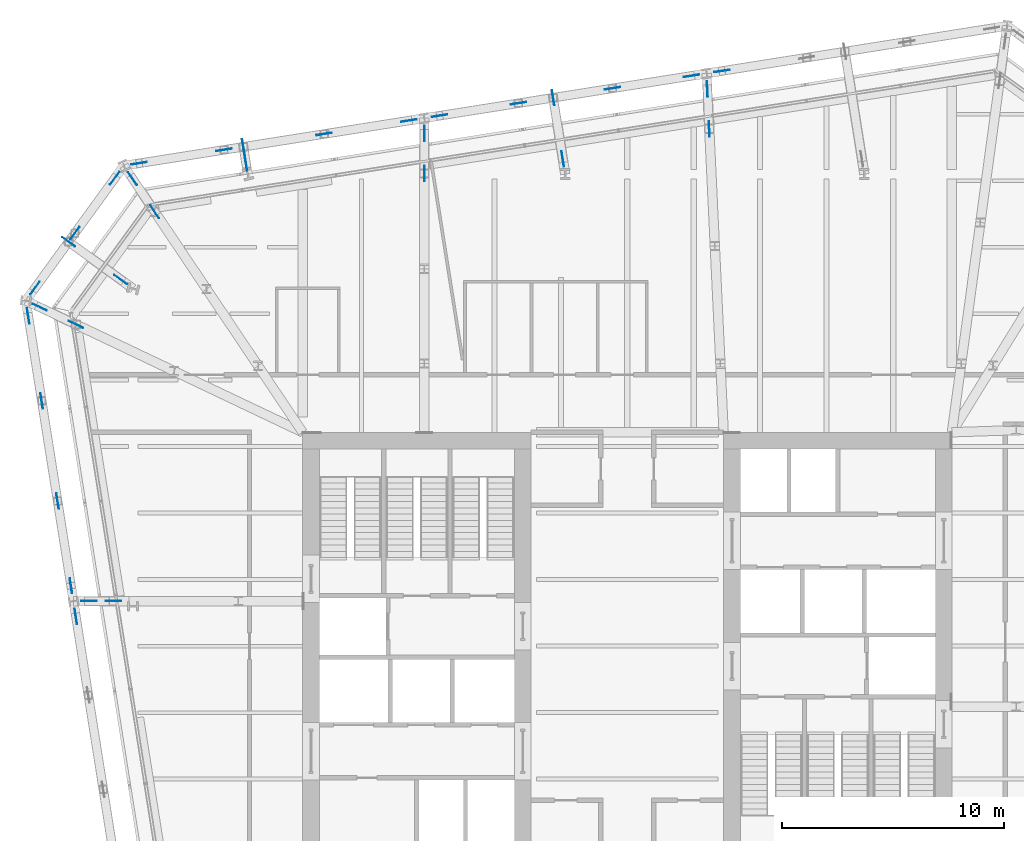
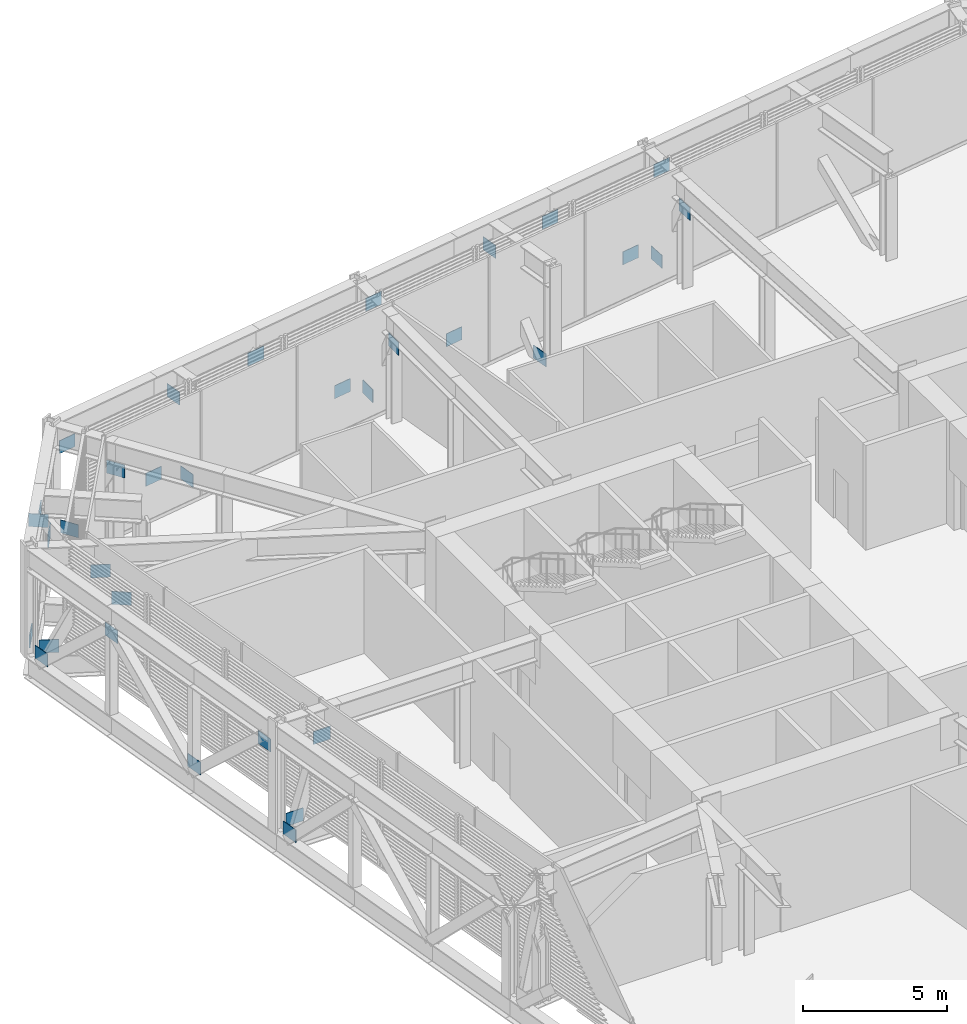
# One storey, part 27 of 32: 33 discrete accessories.
"""IFC4 building model written with IfcOpenShell, lengths in metres."""

from ifc_helpers import new_model, si_unit, direction, frame, origin, origin_2d, place, context, subcontext, project, spatial, rectangle, extrude, material, layer, layer_set, type_object, element, save


model = new_model("IFC4")

# Units and contexts
model_context = context("Model", 3, precision=1e-05, world=origin(), true_north=direction((0.0, 1.0)))
body_context = subcontext(model_context, "Body", "Model", "MODEL_VIEW")
ifc_project = project(units=[si_unit("LENGTHUNIT", "METRE"), si_unit("AREAUNIT", "SQUARE_METRE"), si_unit("VOLUMEUNIT", "CUBIC_METRE"), si_unit("PLANEANGLEUNIT", "RADIAN"), si_unit("MASSUNIT", "GRAM", prefix="KILO")], contexts=[model_context])

# Site, building, storey
site_placement = place(None, origin())
site = spatial("IfcSite", under=ifc_project, at=site_placement, CompositionType="ELEMENT")
building_placement = place(site_placement, origin())
building = spatial("IfcBuilding", under=site, at=building_placement, Name="Millrace Tower", CompositionType="ELEMENT")
storey_placement = place(building_placement, frame((0.0, 0.0, 124.89990234375)))
storey = spatial("IfcBuildingStorey", under=building, at=storey_placement, Name="L27", CompositionType="ELEMENT", Elevation=124.89990234375)

# Discrete accessories
ifc_material = material(Name="Steel ASTM A572 Grade 50", Category="steel")
ifc_layer = layer(ifc_material, 0.02490234375)
ifc_layer_set = layer_set([ifc_layer], Name="Steel ASTM A572 Grade 50")
discrete_accessory_type = type_object("IfcDiscreteAccessoryType", Name="Truss gusset plate 700x550x25", PredefinedType="BRACKET", material=ifc_layer_set)
for number, where, z_axis, x_axis, name in (
    (1, (3.92724609375, 25.89990234375, 3.20751953125), (0.987717677878, 0.156249124184, 0.0), (-0.156249124184, 0.987717677878, 0.0), "Truss gusset plate TRS-L27-R10-D03 head"),
    (2, (2.54443359375, 25.680908203125, 0.114990234375), (0.987717677878, 0.156249124184, 0.0), (-0.156249124184, 0.987717677878, 0.0), "Truss gusset plate TRS-L27-R11-D01 foot"),
    (3, (-1.01123046875, 25.11767578125, 3.20751953125), (0.987717677878, 0.156249124184, 0.0), (-0.156249124184, 0.987717677878, 0.0), "Truss gusset plate TRS-L27-R11-D01 head"),
    (4, (-5.25830078125, 24.445068359375, 0.114990234375), (0.987717677878, 0.156249124184, 0.0), (-0.156249124184, 0.987717677878, 0.0), "Truss gusset plate TRS-L27-R11-D02 foot"),
    (5, (-8.81396484375, 23.8818359375, 3.20751953125), (0.987717677878, 0.156249124184, 0.0), (-0.156249124184, 0.987717677878, 0.0), "Truss gusset plate TRS-L27-R11-D03 head"),
    (6, (-10.19677734375, 23.662841796875, 0.114990234375), (0.987717677878, 0.156249124184, 0.0), (-0.156249124184, 0.987717677878, 0.0), "Truss gusset plate TRS-L27-R12-D01 foot"),
    (7, (-14.025146484375, 23.056396484375, 3.20751953125), (0.987663796475, 0.156589351913, 0.0), (-0.156589351913, 0.987663796475, 0.0), "Truss gusset plate TRS-L27-R12-D01 head"),
    (8, (-18.544921875, 22.340576171875, 0.114990234375), (0.987663796475, 0.156589351913, 0.0), (-0.156589351913, 0.987663796475, 0.0), "Truss gusset plate TRS-L27-R12-D02 foot"),
    (9, (-22.373291015625, 21.734130859375, 3.20751953125), (0.987663796475, 0.156589351913, 0.0), (-0.156589351913, 0.987663796475, 0.0), "Truss gusset plate TRS-L27-R12-D03 head"),
    (10, (-23.336181640625, 20.830078125, 0.114990234375), (0.587819016355, 0.808992462271, 0.0), (-0.808992462271, 0.587819016355, 0.0), "Truss gusset plate TRS-L27-R13-D01 foot"),
    (11, (-25.13671875, 18.35205078125, 3.20751953125), (0.588047260207, 0.808826569644, 0.0), (-0.808826569644, 0.588047260207, 0.0), "Truss gusset plate TRS-L27-R13-D01 head"),
):
    element("IfcDiscreteAccessory", number, at=place(storey_placement, frame(where, z_axis=z_axis, x_axis=x_axis)), inside=storey, type_object=discrete_accessory_type, Name=name, PredefinedType="BRACKET", context=body_context, shape_type="SweptSolid", body=[
        extrude(rectangle(XDim=0.02490234375, YDim=0.550048828125, at=origin_2d()), origin(), (0.0, 0.0, 1.0), 0.699951171875),
    ])
discrete_accessory_1_placement = place(storey_placement, frame((-26.93701171875, 15.8740234375, 0.114990234375), z_axis=(0.587881403835, 0.80894712746, 0.0), x_axis=(-0.80894712746, 0.587881403835, 0.0)))
element("IfcDiscreteAccessory", 12, at=discrete_accessory_1_placement, inside=storey, type_object=discrete_accessory_type, Name="Truss gusset plate TRS-L27-R13-D02 foot", PredefinedType="BRACKET", context=body_context, shape_type="SweptSolid", body=[
    extrude(rectangle(XDim=0.02490234375, YDim=0.550048828125, at=origin_2d()), origin(), (0.0, 0.0, 1.0), 0.7001953125),
])
for number, where, z_axis, x_axis, name in (
    (13, (-27.087890625, 15.2451171875, 0.114990234375), (0.156249124184, -0.987717677878, 0.0), (0.987717677878, 0.156249124184, 0.0), "Truss gusset plate TRS-L27-R14-D01 foot"),
    (14, (-26.4814453125, 11.416748046875, 3.20751953125), (0.156249124184, -0.987717677878, 0.0), (0.987717677878, 0.156249124184, 0.0), "Truss gusset plate TRS-L27-R14-D01 head"),
    (15, (-25.765625, 6.89697265625, 0.114990234375), (0.156249124184, -0.987717677878, 0.0), (0.987717677878, 0.156249124184, 0.0), "Truss gusset plate TRS-L27-R14-D02 foot"),
    (16, (-25.1591796875, 3.068603515625, 3.20751953125), (0.156249124184, -0.987717677878, 0.0), (0.987717677878, 0.156249124184, 0.0), "Truss gusset plate TRS-L27-R14-D03 head"),
    (17, (-24.940185546875, 1.685791015625, 0.114990234375), (0.156249124184, -0.987717677878, 0.0), (0.987717677878, 0.156249124184, 0.0), "Truss gusset plate TRS-L27-R15-D01 foot"),
    (18, (3.59814453125, 25.495361328125, 0.114990234375), (0.04743258521, -0.998874441489, 0.0), (0.998874441489, 0.04743258521, 0.0), "Truss gusset plate TRS-L27-C11-D01 foot"),
    (19, (3.683349609375, 23.697509765625, 3.20751953125), (0.04743258521, -0.998874441489, 0.0), (0.998874441489, 0.04743258521, 0.0), "Truss gusset plate TRS-L27-C11-D01 head"),
    (20, (-9.15966796875, 22.777099609375, 0.114990234375), (0.0, 1.0, 0.0), (-1.0, 0.0, 0.0), "Truss gusset plate TRS-L27-C12-D01 foot"),
    (21, (-9.15966796875, 20.97705078125, 3.20751953125), (0.0, 1.0, 0.0), (-1.0, 0.0, 0.0), "Truss gusset plate TRS-L27-C12-D01 head"),
    (22, (-22.524169921875, 21.388916015625, 0.114990234375), (0.557032284742, -0.830490839055, 0.0), (0.830490839055, 0.557032284742, 0.0), "Truss gusset plate TRS-L27-C13-D01 foot"),
    (23, (-21.521484375, 19.893798828125, 3.20751953125), (0.557032284742, -0.830490839055, 0.0), (0.830490839055, 0.557032284742, 0.0), "Truss gusset plate TRS-L27-C13-D01 head"),
):
    element("IfcDiscreteAccessory", number, at=place(storey_placement, frame(where, z_axis=z_axis, x_axis=x_axis)), inside=storey, type_object=discrete_accessory_type, Name=name, PredefinedType="BRACKET", context=body_context, shape_type="SweptSolid", body=[
        extrude(rectangle(XDim=0.02490234375, YDim=0.550048828125, at=origin_2d()), origin(), (0.0, 0.0, 1.0), 0.699951171875),
    ])
discrete_accessory_2_placement = place(storey_placement, frame((-26.82666015625, 15.440673828125, 0.114990234375), z_axis=(0.903040894087, -0.429554587458, 0.0), x_axis=(0.429554587458, 0.903040894087, 0.0)))
element("IfcDiscreteAccessory", 24, at=discrete_accessory_2_placement, inside=storey, type_object=discrete_accessory_type, Name="Truss gusset plate TRS-L27-C14-D01 foot", PredefinedType="BRACKET", context=body_context, shape_type="SweptSolid", body=[
    extrude(rectangle(XDim=0.02490234375, YDim=0.550048828125, at=origin_2d()), origin(), (0.0, 0.0, 1.0), 0.7001953125),
])
for number, where, z_axis, x_axis, name in (
    (25, (-25.200927734375, 14.66748046875, 3.20751953125), (0.903111828971, -0.429405431233, 0.0), (0.429405431233, 0.903111828971, 0.0), "Truss gusset plate TRS-L27-C14-D01 head"),
    (26, (-24.64501953125, 2.031494140625, 0.114990234375), (1.0, 0.0, 0.0), (0.0, 1.0, 0.0), "Truss gusset plate TRS-L27-C15-D01 foot"),
    (27, (-23.545166015625, 2.031494140625, 3.20751953125), (1.0, 0.0, 0.0), (0.0, 1.0, 0.0), "Truss gusset plate TRS-L27-C15-D01 head"),
    (28, (-2.96435546875, 22.337158203125, 0.114990234375), (0.156589351913, -0.987663796475, 0.0), (0.987663796475, 0.156589351913, 0.0), "Truss gusset plate TRS-L27-B-B-X12-D01 foot"),
    (29, (-3.40087890625, 25.093505859375, 3.20751953125), (0.156589351913, -0.987663796475, 0.0), (0.987663796475, 0.156589351913, 0.0), "Truss gusset plate TRS-L27-B-B-X12-D01 head"),
    (30, (-17.261474609375, 22.139404296875, 0.114990234375), (0.156589351913, -0.987663796475, 0.0), (0.987663796475, 0.156589351913, 0.0), "Truss gusset plate TRS-L27-B-B-X13-D01 foot"),
    (31, (-17.378662109375, 22.879638671875, 3.20751953125), (0.156589351913, -0.987663796475, 0.0), (0.987663796475, 0.156589351913, 0.0), "Truss gusset plate TRS-L27-B-B-X13-D01 head"),
    (32, (-23.1494140625, 16.74560546875, 0.114990234375), (0.808992462271, -0.587819016355, 0.0), (0.587819016355, 0.808992462271, 0.0), "Truss gusset plate TRS-L27-B-B-X14-D01 foot"),
    (33, (-25.4970703125, 18.451416015625, 3.20751953125), (0.808826569644, -0.588047260207, 0.0), (0.588047260207, 0.808826569644, 0.0), "Truss gusset plate TRS-L27-B-B-X14-D01 head"),
):
    element("IfcDiscreteAccessory", number, at=place(storey_placement, frame(where, z_axis=z_axis, x_axis=x_axis)), inside=storey, type_object=discrete_accessory_type, Name=name, PredefinedType="BRACKET", context=body_context, shape_type="SweptSolid", body=[
        extrude(rectangle(XDim=0.02490234375, YDim=0.550048828125, at=origin_2d()), origin(), (0.0, 0.0, 1.0), 0.699951171875),
    ])

save(model, "model.ifc")
